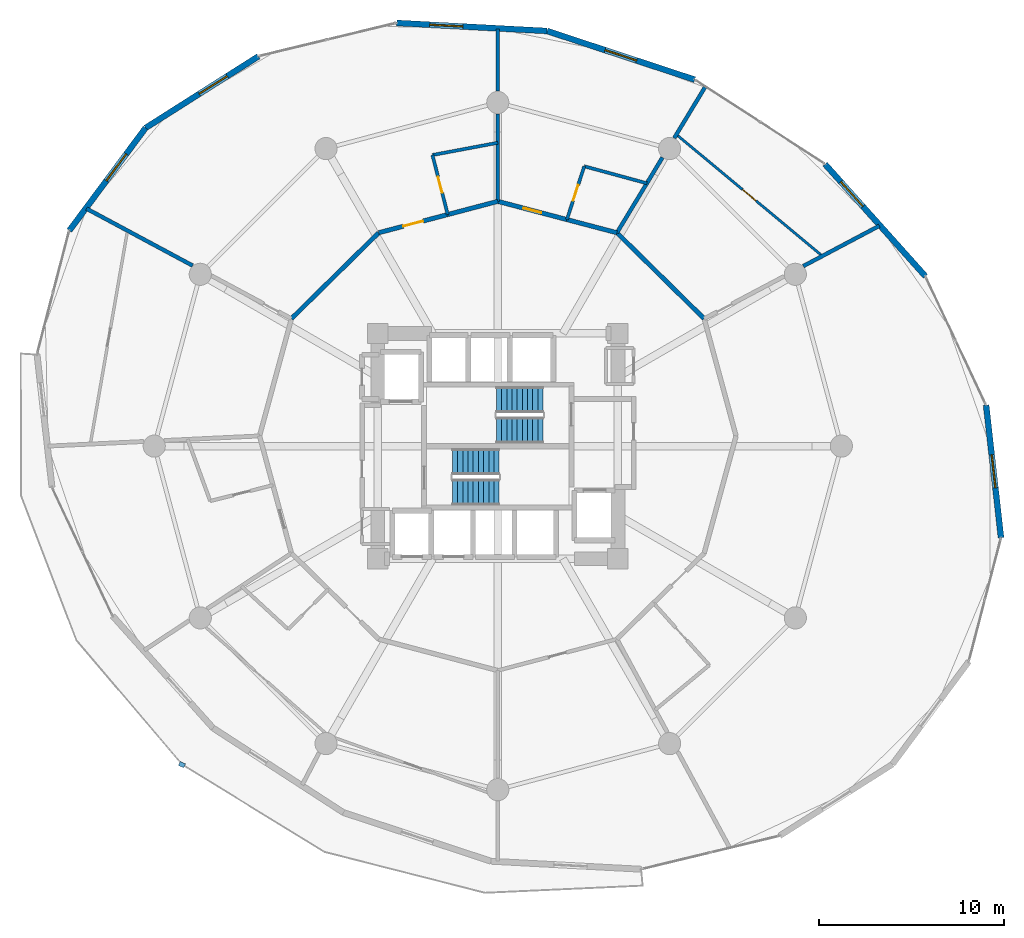
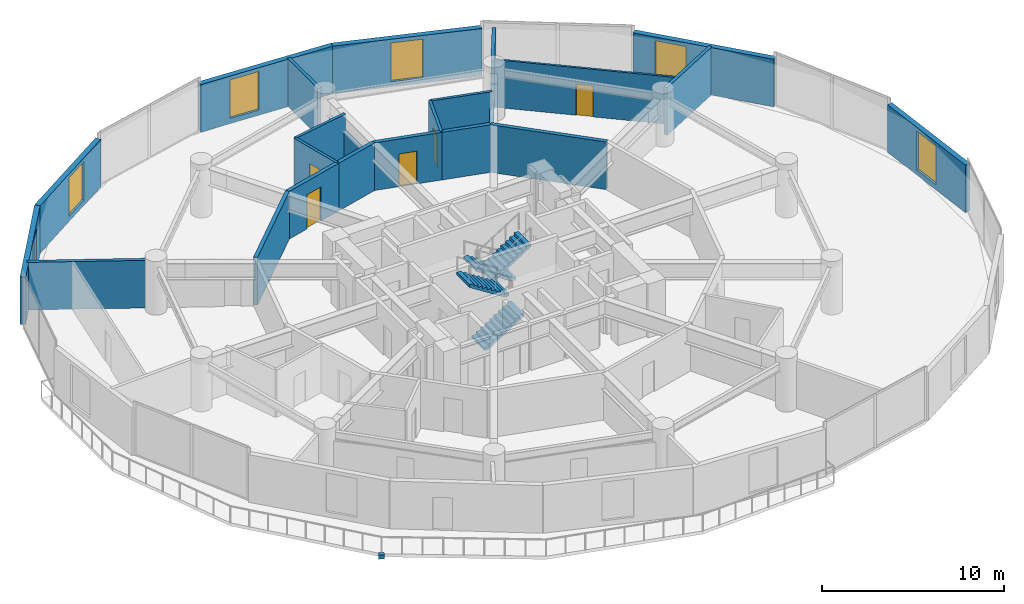
# One storey, part 21 of 24: 23 walls, 6 windows, 5 doors, 4 stair flights, 1 discrete accessory, 11 openings, 2 elements without a shape of their own.
"""IFC4 building model written with IfcOpenShell, lengths in metres."""

import ifcopenshell
import ifcopenshell.guid

model = None  # the IFC model being written
_history = None  # IfcOwnerHistory: only IFC2X3 demands one
_inside = {}  # id of a spatial element -> (the spatial element, [elements in it])
_under = {}  # id of a project, library or spatial element -> (it, [spatial elements below it])
_declared = {}  # id of a project -> (the project, [libraries it declares])
_typed = {}  # id of a type object -> (the type object, [elements of that type])
_made_of = {}  # id of a material, layer set ... -> (it, [elements and type objects made of it])


def new_model(schema):
    """Start an empty IFC model of exactly this schema.

    Asked for "IFC4X3", IfcOpenShell would pick the latest addendum, in which some entities
    have other attributes; the version numbers below select the first issue.
    IFC2X3 requires an IfcOwnerHistory on every rooted entity: one is made here for all.
    """
    global model, _history
    if schema == "IFC4X3":
        model = ifcopenshell.file(schema_version=(4, 3, 0, 0))
    else:
        model = ifcopenshell.file(schema=schema)
    _inside.clear()
    _under.clear()
    _declared.clear()
    _typed.clear()
    _made_of.clear()
    _history = None
    if model.schema == "IFC2X3":
        org = make("IfcOrganization", Name="unknown")
        user = make(
            "IfcPersonAndOrganization",
            ThePerson=make("IfcPerson", FamilyName="unknown"),
            TheOrganization=org,
        )
        app = make(
            "IfcApplication",
            ApplicationDeveloper=org,
            Version="unknown",
            ApplicationFullName="unknown",
            ApplicationIdentifier="unknown",
        )
        _history = make(
            "IfcOwnerHistory",
            OwningUser=user,
            OwningApplication=app,
            ChangeAction="ADDED",
            CreationDate=0,
        )
    return model


def make(cls, **values):
    """One entity of the class cls with the attributes given. An attribute that is None is left unset."""
    return model.create_entity(
        cls, **{name: value for name, value in values.items() if value is not None}
    )


def rooted(cls, **values):
    """An entity with a GlobalId (a new one), such as an element, a storey or a relation."""
    return make(cls, GlobalId=ifcopenshell.guid.new(), OwnerHistory=_history, **values)


def si_unit(unit_type, name, prefix=None):
    """IfcSIUnit, for example si_unit("LENGTHUNIT", "METRE", prefix="MILLI")."""
    return make("IfcSIUnit", UnitType=unit_type, Prefix=prefix, Name=name)


def assignment(units):
    """IfcUnitAssignment: the units of a project."""
    return None if units is None else make("IfcUnitAssignment", Units=units)


def point(xyz):
    """IfcCartesianPoint."""
    return None if xyz is None else make("IfcCartesianPoint", Coordinates=xyz)


def direction(xyz):
    """IfcDirection."""
    return None if xyz is None else make("IfcDirection", DirectionRatios=xyz)


def frame(location, z_axis=None, x_axis=None):
    """IfcAxis2Placement3D, a coordinate frame: its origin and axes. An axis left out is left unset."""
    return make(
        "IfcAxis2Placement3D",
        Location=point(location),
        Axis=direction(z_axis),
        RefDirection=direction(x_axis),
    )


def frame_2d(location, x_axis=None):
    """IfcAxis2Placement2D, a coordinate frame in the plane: its origin and x axis."""
    return make(
        "IfcAxis2Placement2D", Location=point(location), RefDirection=direction(x_axis)
    )


def origin():
    """The frame at (0, 0, 0) with its axes left unset."""
    return frame((0.0, 0.0, 0.0))


def origin_2d():
    """The frame at (0, 0) in the plane with its x axis left unset."""
    return frame_2d((0.0, 0.0))


def place(relative_to, where):
    """IfcLocalPlacement: puts the frame where relative to a parent placement (None: the world)."""
    return make(
        "IfcLocalPlacement", PlacementRelTo=relative_to, RelativePlacement=where
    )


def context(
    kind, dimensions, precision=None, world=None, true_north=None, identifier=None
):
    """IfcGeometricRepresentationContext, for example the 3D "Model" context."""
    return make(
        "IfcGeometricRepresentationContext",
        ContextIdentifier=identifier,
        ContextType=kind,
        CoordinateSpaceDimension=dimensions,
        Precision=precision,
        WorldCoordinateSystem=world,
        TrueNorth=true_north,
    )


def subcontext(parent, identifier, kind, view, scale=None):
    """IfcGeometricRepresentationSubContext, for example "Body" below "Model"."""
    return make(
        "IfcGeometricRepresentationSubContext",
        ContextIdentifier=identifier,
        ContextType=kind,
        ParentContext=parent,
        TargetScale=scale,
        TargetView=view,
    )


def project(units=None, contexts=None):
    """IfcProject with its units and contexts."""
    return rooted(
        "IfcProject",
        Name="project",
        RepresentationContexts=contexts,
        UnitsInContext=assignment(units),
    )


def spatial(cls, under=None, at=None, **own):
    """A site, building, storey or space (cls), placed at a placement, below another one or the project."""
    s = rooted(cls, ObjectPlacement=at, **own)
    if under is not None:
        _under.setdefault(under.id(), (under, []))[1].append(s)
    return s


def polyline(points):
    """IfcPolyline through the points."""
    return make("IfcPolyline", Points=[point(p) for p in points])


def profile(cls, at=None, kind="AREA", **sizes):
    """A parametric profile (cls). Its sizes go by their IFC names, for example OverallWidth=200.0."""
    return make(cls, ProfileType=kind, Position=at, **sizes)


def rectangle(**sizes):
    """IfcRectangleProfileDef."""
    return profile("IfcRectangleProfileDef", **sizes)


def outline(outer, holes=None, kind="AREA"):
    """IfcArbitraryClosedProfileDef: a profile drawn as a closed curve; with holes, ...WithVoids."""
    if holes is None:
        return make("IfcArbitraryClosedProfileDef", ProfileType=kind, OuterCurve=outer)
    return make(
        "IfcArbitraryProfileDefWithVoids",
        ProfileType=kind,
        OuterCurve=outer,
        InnerCurves=holes,
    )


def extrude(swept, where, along, depth):
    """IfcExtrudedAreaSolid: the profile swept, set in the frame where, extruded along a direction by depth."""
    return make(
        "IfcExtrudedAreaSolid",
        SweptArea=swept,
        Position=where,
        ExtrudedDirection=direction(along),
        Depth=depth,
    )


def shape(context_of_items, identifier, shape_type, items):
    """IfcShapeRepresentation: the items that make up one representation, for example the "Body"."""
    return make(
        "IfcShapeRepresentation",
        ContextOfItems=context_of_items,
        RepresentationIdentifier=identifier,
        RepresentationType=shape_type,
        Items=items,
    )


def material(Name=None, Category=None):
    """IfcMaterial."""
    return make("IfcMaterial", Name=Name, Category=Category)


def layer(
    of_material, thickness, ventilated=None, Name=None, Category=None, Priority=None
):
    """IfcMaterialLayer: one layer of a wall or slab, of a material (None: an air gap)."""
    return make(
        "IfcMaterialLayer",
        Material=of_material,
        LayerThickness=thickness,
        IsVentilated=ventilated,
        Name=Name,
        Category=Category,
        Priority=Priority,
    )


def layer_set(layers, Name=None):
    """IfcMaterialLayerSet."""
    return make("IfcMaterialLayerSet", MaterialLayers=layers, LayerSetName=Name)


def made_of(thing, what):
    """Note that an element or type object is made of a material, layer set ...; save() writes the relation."""
    if what is not None:
        _made_of.setdefault(what.id(), (what, []))[1].append(thing)
    return thing


def type_object(cls, material=None, **own):
    """A type object (cls), such as IfcWallType, which elements share."""
    return made_of(rooted(cls, **own), material)


def element(
    cls,
    number,
    at=None,
    inside=None,
    cuts=None,
    type_object=None,
    material=None,
    context=None,
    identifier="Body",
    shape_type=None,
    held_by="IfcProductDefinitionShape",
    body=None,
    shapes=None,
    **own,
):
    """One element of the class cls, such as IfcWall. Its Tag is "e" and its number.

    at: its placement. inside: the storey or other place that contains it. cuts: it is an
    opening in that element (IfcRelVoidsElement). A single representation is given by context,
    identifier, shape_type and body (its items); several are given by shapes. held_by: the class
    of the entity that holds the representations. save() writes the other relations.
    """
    e = rooted(cls, Tag="e%d" % number, ObjectPlacement=at, **own)
    if body is not None:
        shapes = [shape(context, identifier, shape_type, body)]
    if shapes is not None:
        e.Representation = make(held_by, Representations=shapes)
    if inside is not None:
        _inside.setdefault(inside.id(), (inside, []))[1].append(e)
    if cuts is not None:
        rooted(
            "IfcRelVoidsElement", RelatingBuildingElement=cuts, RelatedOpeningElement=e
        )
    if type_object is not None:
        _typed.setdefault(type_object.id(), (type_object, []))[1].append(e)
    return made_of(e, material)


def fill(opening, filler):
    """IfcRelFillsElement: the door or window that sits in an opening."""
    return rooted(
        "IfcRelFillsElement",
        RelatingOpeningElement=opening,
        RelatedBuildingElement=filler,
    )


def aggregate(whole, parts):
    """IfcRelAggregates: a whole, such as a stair, and the parts it consists of."""
    return rooted("IfcRelAggregates", RelatingObject=whole, RelatedObjects=parts)


def save(model, path):
    """Write the relations noted so far, then the file.

    IfcRelAggregates (storeys below a building ...), IfcRelContainedInSpatialStructure (elements
    in a storey), IfcRelDefinesByType, IfcRelAssociatesMaterial and IfcRelDeclares: one each for
    every whole, place, type object, material and project.
    """
    for whole, parts in _under.values():
        aggregate(whole, parts)
    for where, things in _inside.values():
        rooted(
            "IfcRelContainedInSpatialStructure",
            RelatedElements=things,
            RelatingStructure=where,
        )
    for kind, things in _typed.values():
        rooted("IfcRelDefinesByType", RelatedObjects=things, RelatingType=kind)
    for what, things in _made_of.values():
        rooted("IfcRelAssociatesMaterial", RelatedObjects=things, RelatingMaterial=what)
    for by, libraries in _declared.values():
        rooted("IfcRelDeclares", RelatingContext=by, RelatedDefinitions=libraries)
    model.write(path)


model = new_model("IFC4")

# Units and contexts
model_context = context("Model", 3, precision=1e-05, world=origin(), true_north=direction((0.0, 1.0)))
body_context = subcontext(model_context, "Body", "Model", "MODEL_VIEW")
ifc_project = project(units=[si_unit("LENGTHUNIT", "METRE"), si_unit("AREAUNIT", "SQUARE_METRE"), si_unit("VOLUMEUNIT", "CUBIC_METRE"), si_unit("PLANEANGLEUNIT", "RADIAN"), si_unit("MASSUNIT", "GRAM", prefix="KILO")], contexts=[model_context])

# Site, building, storey
site_placement = place(None, origin())
site = spatial("IfcSite", under=ifc_project, at=site_placement, CompositionType="ELEMENT")
building_placement = place(site_placement, origin())
building = spatial("IfcBuilding", under=site, at=building_placement, Name="Solvirekh Grand Hotel", CompositionType="ELEMENT")
storey_placement = place(building_placement, frame((0.0, 0.0, 89.60009765625)))
storey = spatial("IfcBuildingStorey", under=building, at=storey_placement, Name="L22", CompositionType="ELEMENT", Elevation=89.60009765625)

# Wall, opening, window
ifc_material_1 = material(Name="Precast concrete C45/55", Category="concrete")
ifc_layer_1 = layer(ifc_material_1, 0.320068359375)
ifc_layer_set_1 = layer_set([ifc_layer_1], Name="Precast concrete C45/55")
wall_type_1 = type_object("IfcWallType", Name="ExtLobbyWall_RC320", PredefinedType="SOLIDWALL", material=ifc_layer_set_1)
wall_1_placement = place(storey_placement, frame((26.43701171875, 2.22412109375, 0.0), z_axis=(0.0, 0.0, 1.0), x_axis=(0.111716865036, -0.99374007772, 0.0)))
wall_1 = element("IfcWall", 1, at=wall_1_placement, inside=storey, type_object=wall_type_1, Name="L22 exterior structural wall chord 2", PredefinedType="SOLIDWALL", context=body_context, shape_type="SweptSolid", body=[
    extrude(rectangle(XDim=7.2333984375, YDim=0.320068359375, at=frame_2d((3.61669921875, 0.0))), origin(), (0.0, 0.0, 1.0), 3.199951171875),
])
opening_1_placement = place(wall_1_placement, frame((2.717041015625, 0.0, 0.35009765625)))
opening_1 = element("IfcOpeningElement", 2, at=opening_1_placement, cuts=wall_1, Name="Opening W02", PredefinedType="OPENING", context=body_context, shape_type="SweptSolid", body=[
    extrude(rectangle(XDim=1.800048828125, YDim=2.60009765625, at=frame_2d((0.89990234375, 1.300048828125))), frame((0.0, 0.169921875, 0.0), z_axis=(0.0, -1.0, 0.0), x_axis=(1.0, 0.0, 0.0)), (0.0, 0.0, 1.0), 0.340087890625),
])
ifc_material_2 = material(Name="Low-E Tinted Bronze Laminated Glass", Category="aluminium")
window_type = type_object("IfcWindowType", Name="Win_LobbyExt_1800X2600", PartitioningType="SINGLE_PANEL", PredefinedType="WINDOW", material=ifc_material_2)
window_1_placement = place(opening_1_placement, origin())
window_1 = element("IfcWindow", 3, at=window_1_placement, inside=storey, type_object=window_type, Name="L22 panoramic bronze-framed window 2", OverallHeight=2.60009765625, OverallWidth=1.800048828125, PartitioningType="SINGLE_PANEL", PredefinedType="WINDOW", context=body_context, shape_type="SweptSolid", body=[
    extrude(rectangle(XDim=1.800048828125, YDim=2.60009765625, at=frame_2d((0.89990234375, 1.300048828125))), frame((0.0, 0.030029296875, 0.0), z_axis=(0.0, -1.0, 0.0), x_axis=(1.0, 0.0, 0.0)), (0.0, 0.0, 1.0), 0.06005859375),
])
fill(opening_1, window_1)

wall_2_placement = place(storey_placement, frame((17.715087890625, 15.263916015625, 0.0), z_axis=(0.0, 0.0, 1.0), x_axis=(0.667278098427, -0.744808659563, 0.0)))
wall_2 = element("IfcWall", 4, at=wall_2_placement, inside=storey, type_object=wall_type_1, Name="L22 exterior structural wall chord 4", PredefinedType="SOLIDWALL", context=body_context, shape_type="SweptSolid", body=[
    extrude(rectangle(XDim=8.1494140625, YDim=0.320068359375, at=frame_2d((4.07470703125, 0.0))), origin(), (0.0, 0.0, 1.0), 3.199951171875),
])
opening_2_placement = place(wall_2_placement, frame((1.27392578125, 0.0, 0.35009765625)))
opening_2 = element("IfcOpeningElement", 5, at=opening_2_placement, cuts=wall_2, Name="Opening W02", PredefinedType="OPENING", context=body_context, shape_type="SweptSolid", body=[
    extrude(rectangle(XDim=1.800048828125, YDim=2.60009765625, at=frame_2d((0.89990234375, 1.300048828125))), frame((0.0, 0.169921875, 0.0), z_axis=(0.0, -1.0, 0.0), x_axis=(1.0, 0.0, 0.0)), (0.0, 0.0, 1.0), 0.340087890625),
])
window_2_placement = place(opening_2_placement, origin())
window_2 = element("IfcWindow", 6, at=window_2_placement, inside=storey, type_object=window_type, Name="L22 panoramic bronze-framed window 4", OverallHeight=2.60009765625, OverallWidth=1.800048828125, PartitioningType="SINGLE_PANEL", PredefinedType="WINDOW", context=body_context, shape_type="SweptSolid", body=[
    extrude(rectangle(XDim=1.800048828125, YDim=2.60009765625, at=frame_2d((0.89990234375, 1.300048828125))), frame((0.0, 0.030029296875, 0.0), z_axis=(0.0, -1.0, 0.0), x_axis=(1.0, 0.0, 0.0)), (0.0, 0.0, 1.0), 0.06005859375),
])
fill(opening_2, window_2)

wall_3_placement = place(storey_placement, frame((2.666015625, 22.47412109375, 0.0), z_axis=(0.0, 0.0, 1.0), x_axis=(0.949722824856, -0.313091928908, 0.0)))
wall_3 = element("IfcWall", 7, at=wall_3_placement, inside=storey, type_object=wall_type_1, Name="L22 exterior structural wall chord 6", PredefinedType="SOLIDWALL", context=body_context, shape_type="SweptSolid", body=[
    extrude(rectangle(XDim=8.4130859375, YDim=0.320068359375, at=frame_2d((4.20654296875, 0.0))), origin(), (0.0, 0.0, 1.0), 3.199951171875),
])
opening_3_placement = place(wall_3_placement, frame((3.305908203125, 0.0, 0.35009765625)))
opening_3 = element("IfcOpeningElement", 8, at=opening_3_placement, cuts=wall_3, Name="Opening W02", PredefinedType="OPENING", context=body_context, shape_type="SweptSolid", body=[
    extrude(rectangle(XDim=1.800048828125, YDim=2.60009765625, at=frame_2d((0.89990234375, 1.300048828125))), frame((0.0, 0.169921875, 0.0), z_axis=(0.0, -1.0, 0.0), x_axis=(1.0, 0.0, 0.0)), (0.0, 0.0, 1.0), 0.340087890625),
])
window_3_placement = place(opening_3_placement, origin())
window_3 = element("IfcWindow", 9, at=window_3_placement, inside=storey, type_object=window_type, Name="L22 panoramic bronze-framed window 6", OverallHeight=2.60009765625, OverallWidth=1.800048828125, PartitioningType="SINGLE_PANEL", PredefinedType="WINDOW", context=body_context, shape_type="SweptSolid", body=[
    extrude(rectangle(XDim=1.800048828125, YDim=2.60009765625, at=frame_2d((0.89990234375, 1.300048828125))), frame((0.0, 0.030029296875, 0.0), z_axis=(0.0, -1.0, 0.0), x_axis=(1.0, 0.0, 0.0)), (0.0, 0.0, 1.0), 0.06005859375),
])
fill(opening_3, window_3)

wall_4_placement = place(storey_placement, frame((-5.471923828125, 22.907958984375, 0.0), z_axis=(0.0, 0.0, 1.0), x_axis=(0.998582015263, -0.053234939583, 0.0)))
wall_4 = element("IfcWall", 10, at=wall_4_placement, inside=storey, type_object=wall_type_1, Name="L22 exterior structural wall chord 7", PredefinedType="SOLIDWALL", context=body_context, shape_type="SweptSolid", body=[
    extrude(rectangle(XDim=8.1494140625, YDim=0.320068359375, at=frame_2d((4.07470703125, 0.0))), origin(), (0.0, 0.0, 1.0), 3.199951171875),
])
opening_4_placement = place(wall_4_placement, frame((1.791015625, 0.0, 0.35009765625)))
opening_4 = element("IfcOpeningElement", 11, at=opening_4_placement, cuts=wall_4, Name="Opening W02", PredefinedType="OPENING", context=body_context, shape_type="SweptSolid", body=[
    extrude(rectangle(XDim=1.800048828125, YDim=2.60009765625, at=frame_2d((0.89990234375, 1.300048828125))), frame((0.0, 0.169921875, 0.0), z_axis=(0.0, -1.0, 0.0), x_axis=(1.0, 0.0, 0.0)), (0.0, 0.0, 1.0), 0.340087890625),
])
window_4_placement = place(opening_4_placement, origin())
window_4 = element("IfcWindow", 12, at=window_4_placement, inside=storey, type_object=window_type, Name="L22 panoramic bronze-framed window 7", OverallHeight=2.60009765625, OverallWidth=1.800048828125, PartitioningType="SINGLE_PANEL", PredefinedType="WINDOW", context=body_context, shape_type="SweptSolid", body=[
    extrude(rectangle(XDim=1.800048828125, YDim=2.60009765625, at=frame_2d((0.89990234375, 1.300048828125))), frame((0.0, 0.030029296875, 0.0), z_axis=(0.0, -1.0, 0.0), x_axis=(1.0, 0.0, 0.0)), (0.0, 0.0, 1.0), 0.06005859375),
])
fill(opening_4, window_4)

wall_5_placement = place(storey_placement, frame((-19.070068359375, 17.22607421875, 0.0), z_axis=(0.0, 0.0, 1.0), x_axis=(0.844473577477, 0.535597215213, 0.0)))
wall_5 = element("IfcWall", 13, at=wall_5_placement, inside=storey, type_object=wall_type_1, Name="L22 exterior structural wall chord 9", PredefinedType="SOLIDWALL", context=body_context, shape_type="SweptSolid", body=[
    extrude(rectangle(XDim=7.233154296875, YDim=0.320068359375, at=frame_2d((3.61669921875, 0.0))), origin(), (0.0, 0.0, 1.0), 3.199951171875),
])
opening_5_placement = place(wall_5_placement, frame((3.43896484375, 0.0, 0.35009765625)))
opening_5 = element("IfcOpeningElement", 14, at=opening_5_placement, cuts=wall_5, Name="Opening W02", PredefinedType="OPENING", context=body_context, shape_type="SweptSolid", body=[
    extrude(rectangle(XDim=1.800048828125, YDim=2.60009765625, at=frame_2d((0.89990234375, 1.300048828125))), frame((0.0, 0.169921875, 0.0), z_axis=(0.0, -1.0, 0.0), x_axis=(1.0, 0.0, 0.0)), (0.0, 0.0, 1.0), 0.340087890625),
])
window_5_placement = place(opening_5_placement, origin())
window_5 = element("IfcWindow", 15, at=window_5_placement, inside=storey, type_object=window_type, Name="L22 panoramic bronze-framed window 9", OverallHeight=2.60009765625, OverallWidth=1.800048828125, PartitioningType="SINGLE_PANEL", PredefinedType="WINDOW", context=body_context, shape_type="SweptSolid", body=[
    extrude(rectangle(XDim=1.800048828125, YDim=2.60009765625, at=frame_2d((0.89990234375, 1.300048828125))), frame((0.0, 0.030029296875, 0.0), z_axis=(0.0, -1.0, 0.0), x_axis=(1.0, 0.0, 0.0)), (0.0, 0.0, 1.0), 0.06005859375),
])
fill(opening_5, window_5)

wall_6_placement = place(storey_placement, frame((-23.198974609375, 11.666015625, 0.0), z_axis=(0.0, 0.0, 1.0), x_axis=(0.596191587438, 0.80284219562, 0.0)))
wall_6 = element("IfcWall", 16, at=wall_6_placement, inside=storey, type_object=wall_type_1, Name="L22 exterior structural wall chord 10", PredefinedType="SOLIDWALL", context=body_context, shape_type="SweptSolid", body=[
    extrude(rectangle(XDim=6.925537109375, YDim=0.320068359375, at=frame_2d((3.462890625, 0.0))), origin(), (0.0, 0.0, 1.0), 3.199951171875),
])
opening_6_placement = place(wall_6_placement, frame((3.367919921875, 0.0, 0.35009765625)))
opening_6 = element("IfcOpeningElement", 17, at=opening_6_placement, cuts=wall_6, Name="Opening W02", PredefinedType="OPENING", context=body_context, shape_type="SweptSolid", body=[
    extrude(rectangle(XDim=1.800048828125, YDim=2.60009765625, at=frame_2d((0.89990234375, 1.300048828125))), frame((0.0, 0.169921875, 0.0), z_axis=(0.0, -1.0, 0.0), x_axis=(1.0, 0.0, 0.0)), (0.0, 0.0, 1.0), 0.340087890625),
])
window_6_placement = place(opening_6_placement, origin())
window_6 = element("IfcWindow", 18, at=window_6_placement, inside=storey, type_object=window_type, Name="L22 panoramic bronze-framed window 10", OverallHeight=2.60009765625, OverallWidth=1.800048828125, PartitioningType="SINGLE_PANEL", PredefinedType="WINDOW", context=body_context, shape_type="SweptSolid", body=[
    extrude(rectangle(XDim=1.800048828125, YDim=2.60009765625, at=frame_2d((0.89990234375, 1.300048828125))), frame((0.0, 0.030029296875, 0.0), z_axis=(0.0, -1.0, 0.0), x_axis=(1.0, 0.0, 0.0)), (0.0, 0.0, 1.0), 0.06005859375),
])
fill(opening_6, window_6)

# Walls
ifc_material_3 = material(Name="Acoustic Gypsum Partition Assembly")
ifc_layer_2 = layer(ifc_material_3, 0.239990234375)
ifc_layer_set_2 = layer_set([ifc_layer_2], Name="Acoustic Gypsum Partition Assembly")
wall_type_2 = type_object("IfcWallType", Name="Part_Corridor_240", PredefinedType="PARTITIONING", material=ifc_layer_set_2)
wall_7_placement = place(storey_placement, frame((11.172119140625, 6.89990234375, 0.0), z_axis=(0.0, 0.0, 1.0), x_axis=(-0.712593171801, 0.701577487882, 0.0)))
element("IfcWall", 19, at=wall_7_placement, inside=storey, type_object=wall_type_2, Name="L22 Presidential Suite 2401 Suite Foyer corridor enclosure wall", PredefinedType="PARTITIONING", context=body_context, shape_type="SweptSolid", body=[
    extrude(rectangle(XDim=6.626708984375, YDim=0.239990234375, at=frame_2d((3.3134765625, 0.0))), origin(), (0.0, 0.0, 1.0), 3.199951171875),
])
wall_8_placement = place(storey_placement, frame((6.449951171875, 11.549072265625, 0.0), z_axis=(0.0, 0.0, 1.0), x_axis=(-0.966988689433, 0.254819297756, 0.0)))
element("IfcWall", 20, at=wall_8_placement, inside=storey, type_object=wall_type_2, Name="L22 En-suite Bathroom 2402 corridor backing wall", PredefinedType="PARTITIONING", context=body_context, shape_type="SweptSolid", body=[
    extrude(rectangle(XDim=2.801513671875, YDim=0.239990234375, at=frame_2d((1.40087890625, 0.0))), origin(), (0.0, 0.0, 1.0), 3.199951171875),
])

# Wall, opening, door
wall_9_placement = place(storey_placement, frame((3.740966796875, 12.262939453125, 0.0), z_axis=(0.0, 0.0, 1.0), x_axis=(-0.966909222747, 0.255120667465, 0.0)))
wall_9 = element("IfcWall", 21, at=wall_9_placement, inside=storey, type_object=wall_type_2, Name="L22 Deluxe Guestroom 2402 entrance wall", PredefinedType="PARTITIONING", context=body_context, shape_type="SweptSolid", body=[
    extrude(rectangle(XDim=3.868896484375, YDim=0.239990234375, at=frame_2d((1.9345703125, 0.0))), origin(), (0.0, 0.0, 1.0), 3.199951171875),
])
opening_7_placement = place(wall_9_placement, frame((1.43505859375, 0.0, 0.0)))
opening_7 = element("IfcOpeningElement", 22, at=opening_7_placement, cuts=wall_9, Name="Opening D07", PredefinedType="OPENING", context=body_context, shape_type="SweptSolid", body=[
    extrude(rectangle(XDim=1.0, YDim=2.199951171875, at=frame_2d((0.5, 1.10009765625))), frame((0.0, 0.1298828125, 0.0), z_axis=(0.0, -1.0, 0.0), x_axis=(1.0, 0.0, 0.0)), (0.0, 0.0, 1.0), 0.260009765625),
])
ifc_material_4 = material(Name="Fire-Rated Steel Door Assembly", Category="steel")
door_type_1 = type_object("IfcDoorType", Name="Door_GuestEntry_1000X2200", OperationType="NOTDEFINED", PredefinedType="DOOR", material=ifc_material_4)
door_1_placement = place(opening_7_placement, origin())
door_1 = element("IfcDoor", 23, at=door_1_placement, inside=storey, type_object=door_type_1, Name="L22 Deluxe Guestroom 2402 entrance door", OperationType="SINGLE_SWING_RIGHT", OverallHeight=2.199951171875, OverallWidth=1.0, PredefinedType="DOOR", context=body_context, shape_type="SweptSolid", body=[
    extrude(rectangle(XDim=1.0, YDim=2.199951171875, at=frame_2d((0.5, 1.10009765625))), frame((0.0, 0.02490234375, 0.0), z_axis=(0.0, -1.0, 0.0), x_axis=(1.0, 0.0, 0.0)), (0.0, 0.0, 1.0), 0.050048828125),
])
fill(opening_7, door_1)

# Walls
wall_10_placement = place(storey_placement, frame((0.0, 13.25, 0.0), z_axis=(0.0, 0.0, 1.0), x_axis=(-0.966967212689, -0.254900783806, 0.0)))
element("IfcWall", 24, at=wall_10_placement, inside=storey, type_object=wall_type_2, Name="L22 En-suite Bathroom 2403 corridor backing wall", PredefinedType="PARTITIONING", context=body_context, shape_type="SweptSolid", body=[
    extrude(rectangle(XDim=2.801513671875, YDim=0.239990234375, at=frame_2d((1.40087890625, 0.0))), origin(), (0.0, 0.0, 1.0), 3.199951171875),
])
wall_11_placement = place(storey_placement, frame((-6.449951171875, 11.549072265625, 0.0), z_axis=(0.0, 0.0, 1.0), x_axis=(-0.712593171801, -0.701577487882, 0.0)))
element("IfcWall", 25, at=wall_11_placement, inside=storey, type_object=wall_type_2, Name="L22 Diplomatic Suite 2403 Living Room corridor wall 1", PredefinedType="PARTITIONING", context=body_context, shape_type="SweptSolid", body=[
    extrude(rectangle(XDim=6.626708984375, YDim=0.239990234375, at=frame_2d((3.3134765625, 0.0))), origin(), (0.0, 0.0, 1.0), 3.199951171875),
])

# Wall, opening, door
wall_12_placement = place(storey_placement, frame((-2.708984375, 12.535888671875, 0.0), z_axis=(0.0, 0.0, 1.0), x_axis=(-0.966924787062, -0.255061671298, 0.0)))
wall_12 = element("IfcWall", 26, at=wall_12_placement, inside=storey, type_object=wall_type_2, Name="L22 Diplomatic Suite 2403 Living Room entrance wall", PredefinedType="PARTITIONING", context=body_context, shape_type="SweptSolid", body=[
    extrude(rectangle(XDim=3.868896484375, YDim=0.239990234375, at=frame_2d((1.9345703125, 0.0))), origin(), (0.0, 0.0, 1.0), 3.199951171875),
])
opening_8_placement = place(wall_12_placement, frame((1.385009765625, 0.0, 0.0)))
opening_8 = element("IfcOpeningElement", 27, at=opening_8_placement, cuts=wall_12, Name="Opening D08", PredefinedType="OPENING", context=body_context, shape_type="SweptSolid", body=[
    extrude(rectangle(XDim=1.10009765625, YDim=2.300048828125, at=frame_2d((0.550048828125, 1.14990234375))), frame((0.0, 0.1298828125, 0.0), z_axis=(0.0, -1.0, 0.0), x_axis=(1.0, 0.0, 0.0)), (0.0, 0.0, 1.0), 0.260009765625),
])
door_type_2 = type_object("IfcDoorType", Name="Door_SuiteEntry_1100X2300", OperationType="NOTDEFINED", PredefinedType="DOOR", material=ifc_material_4)
door_2_placement = place(opening_8_placement, origin())
door_2 = element("IfcDoor", 28, at=door_2_placement, inside=storey, type_object=door_type_2, Name="L22 Diplomatic Suite 2403 Living Room entrance door", OperationType="SINGLE_SWING_RIGHT", OverallHeight=2.300048828125, OverallWidth=1.10009765625, PredefinedType="DOOR", context=body_context, shape_type="SweptSolid", body=[
    extrude(rectangle(XDim=1.10009765625, YDim=2.300048828125, at=frame_2d((0.550048828125, 1.14990234375))), frame((0.0, 0.02490234375, 0.0), z_axis=(0.0, -1.0, 0.0), x_axis=(1.0, 0.0, 0.0)), (0.0, 0.0, 1.0), 0.050048828125),
])
fill(opening_8, door_2)

ifc_layer_3 = layer(ifc_material_3, 0.135009765625)
ifc_layer_set_3 = layer_set([ifc_layer_3], Name="Acoustic Gypsum Partition Assembly")
wall_type_3 = type_object("IfcWallType", Name="Part_RoomInt_135", PredefinedType="PARTITIONING", material=ifc_layer_set_3)
wall_13_placement = place(storey_placement, frame((17.572021484375, 10.2919921875, 0.0), z_axis=(0.0, 0.0, 1.0), x_axis=(-0.768736797736, 0.639565270951, 0.0)))
wall_13 = element("IfcWall", 29, at=wall_13_placement, inside=storey, type_object=wall_type_3, Name="L22 Presidential Suite 2401 Suite Foyer bedroom screen wall", PredefinedType="PARTITIONING", context=body_context, shape_type="SweptSolid", body=[
    extrude(rectangle(XDim=10.281982421875, YDim=0.135009765625, at=frame_2d((5.14111328125, 0.0))), origin(), (0.0, 0.0, 1.0), 3.199951171875),
])
opening_9_placement = place(wall_13_placement, frame((4.666015625, 0.0, 0.0)))
opening_9 = element("IfcOpeningElement", 30, at=opening_9_placement, cuts=wall_13, Name="Opening D10", PredefinedType="OPENING", context=body_context, shape_type="SweptSolid", body=[
    extrude(rectangle(XDim=0.949951171875, YDim=2.10009765625, at=frame_2d((0.47509765625, 1.050048828125))), frame((0.0, 0.07763671875, 0.0), z_axis=(0.0, -1.0, 0.0), x_axis=(1.0, 0.0, 0.0)), (0.0, 0.0, 1.0), 0.155029296875),
])
ifc_material_5 = material(Name="Anodized Bronze Aluminium 6063-T6", Category="aluminium")
door_type_3 = type_object("IfcDoorType", Name="Door_RoomInt_950X2100", OperationType="NOTDEFINED", PredefinedType="DOOR", material=ifc_material_5)
door_3_placement = place(opening_9_placement, origin())
door_3 = element("IfcDoor", 31, at=door_3_placement, inside=storey, type_object=door_type_3, Name="L22 Presidential Suite 2401 Suite Foyer master bedroom door", OperationType="SINGLE_SWING_RIGHT", OverallHeight=2.10009765625, OverallWidth=0.949951171875, PredefinedType="DOOR", context=body_context, shape_type="SweptSolid", body=[
    extrude(rectangle(XDim=0.949951171875, YDim=2.10009765625, at=frame_2d((0.47509765625, 1.050048828125))), frame((0.0, 0.02490234375, 0.0), z_axis=(0.0, -1.0, 0.0), x_axis=(1.0, 0.0, 0.0)), (0.0, 0.0, 1.0), 0.050048828125),
])
fill(opening_9, door_3)

# Walls
ifc_layer_4 = layer(ifc_material_3, 0.2099609375)
ifc_layer_set_4 = layer_set([ifc_layer_4], Name="Acoustic Gypsum Partition Assembly")
wall_type_4 = type_object("IfcWallType", Name="Part_SuiteDemise_210", PredefinedType="PARTITIONING", material=ifc_layer_set_4)
wall_14_placement = place(storey_placement, frame((16.5400390625, 9.7451171875, 0.0), z_axis=(0.0, 0.0, 1.0), x_axis=(0.883616940901, 0.468210531441, 0.0)))
element("IfcWall", 32, at=wall_14_placement, inside=storey, type_object=wall_type_4, Name="L22 suite radial wall 2 (B)", PredefinedType="PARTITIONING", context=body_context, shape_type="SweptSolid", body=[
    extrude(rectangle(XDim=4.65576171875, YDim=0.2099609375, at=frame_2d((2.327880859375, 0.0))), origin(), (0.0, 0.0, 1.0), 3.199951171875),
])
wall_15_placement = place(storey_placement, frame((6.449951171875, 11.549072265625, 0.0), z_axis=(0.0, 0.0, 1.0), x_axis=(0.517538966695, 0.855659639081, 0.0)))
element("IfcWall", 33, at=wall_15_placement, inside=storey, type_object=wall_type_4, Name="L22 suite radial wall 3 (A)", PredefinedType="PARTITIONING", context=body_context, shape_type="SweptSolid", body=[
    extrude(rectangle(XDim=4.76123046875, YDim=0.2099609375, at=frame_2d((2.380615234375, 0.0))), origin(), (0.0, 0.0, 1.0), 2.06689453125),
])
wall_16_placement = place(storey_placement, frame((9.551025390625, 16.675048828125, 0.0), z_axis=(0.0, 0.0, 1.0), x_axis=(0.517615669933, 0.855613241038, 0.0)))
element("IfcWall", 34, at=wall_16_placement, inside=storey, type_object=wall_type_4, Name="L22 suite radial wall 3 (B)", PredefinedType="PARTITIONING", context=body_context, shape_type="SweptSolid", body=[
    extrude(rectangle(XDim=3.21875, YDim=0.2099609375, at=frame_2d((1.609375, 0.0))), origin(), (0.0, 0.0, 1.0), 3.199951171875),
])
wall_17_placement = place(storey_placement, frame((0.0, 13.25, 0.0), z_axis=(0.0, 0.0, 1.0), x_axis=(0.0, 1.0, 0.0)))
element("IfcWall", 35, at=wall_17_placement, inside=storey, type_object=wall_type_4, Name="L22 suite radial wall 4 (A)", PredefinedType="PARTITIONING", context=body_context, shape_type="SweptSolid", body=[
    extrude(rectangle(XDim=4.72998046875, YDim=0.2099609375, at=frame_2d((2.364990234375, 0.0))), origin(), (0.0, 0.0, 1.0), 2.06689453125),
])
wall_18_placement = place(storey_placement, frame((0.0, 19.219970703125, 0.0), z_axis=(0.0, 0.0, 1.0), x_axis=(0.0, 1.0, 0.0)))
element("IfcWall", 36, at=wall_18_placement, inside=storey, type_object=wall_type_4, Name="L22 suite radial wall 4 (B)", PredefinedType="PARTITIONING", context=body_context, shape_type="SweptSolid", body=[
    extrude(rectangle(XDim=3.35595703125, YDim=0.2099609375, at=frame_2d((1.677978515625, 0.0))), origin(), (0.0, 0.0, 1.0), 3.199951171875),
])
wall_19_placement = place(storey_placement, frame((-16.514892578125, 9.76806640625, 0.0), z_axis=(0.0, 0.0, 1.0), x_axis=(-0.881103250106, 0.472923950178, 0.0)))
element("IfcWall", 37, at=wall_19_placement, inside=storey, type_object=wall_type_4, Name="L22 suite radial wall 6 (B)", PredefinedType="PARTITIONING", context=body_context, shape_type="SweptSolid", body=[
    extrude(rectangle(XDim=6.52734375, YDim=0.2099609375, at=frame_2d((3.263671875, 0.0))), origin(), (0.0, 0.0, 1.0), 3.199951171875),
])
ifc_layer_5 = layer(ifc_material_3, 0.175048828125)
ifc_layer_set_5 = layer_set([ifc_layer_5], Name="Acoustic Gypsum Partition Assembly")
wall_type_5 = type_object("IfcWallType", Name="Plumb_Ensuite_175", PredefinedType="PLUMBINGWALL", material=ifc_layer_set_5)
wall_20_placement = place(storey_placement, frame((8.071044921875, 14.22802734375, 0.0), z_axis=(0.0, 0.0, 1.0), x_axis=(-0.965029552765, 0.262141111409, 0.0)))
element("IfcWall", 38, at=wall_20_placement, inside=storey, type_object=wall_type_5, Name="L22 En-suite Bathroom 2402 outer plumbing wall", PredefinedType="PLUMBINGWALL", context=body_context, shape_type="SweptSolid", body=[
    extrude(rectangle(XDim=3.512939453125, YDim=0.175048828125, at=frame_2d((1.75634765625, 0.0))), origin(), (0.0, 0.0, 1.0), 3.199951171875),
])

# Wall, opening, door
wall_21_placement = place(storey_placement, frame((3.740966796875, 12.262939453125, 0.0), z_axis=(0.0, 0.0, 1.0), x_axis=(0.309680760467, 0.950840589477, 0.0)))
wall_21 = element("IfcWall", 39, at=wall_21_placement, inside=storey, type_object=wall_type_5, Name="L22 En-suite Bathroom 2402 entry plumbing wall", PredefinedType="PLUMBINGWALL", context=body_context, shape_type="SweptSolid", body=[
    extrude(rectangle(XDim=3.03515625, YDim=0.175048828125, at=frame_2d((1.517578125, 0.0))), origin(), (0.0, 0.0, 1.0), 3.199951171875),
])
opening_10_placement = place(wall_21_placement, frame((1.068115234375, 0.0, 0.0)))
opening_10 = element("IfcOpeningElement", 40, at=opening_10_placement, cuts=wall_21, Name="Opening D09", PredefinedType="OPENING", context=body_context, shape_type="SweptSolid", body=[
    extrude(rectangle(XDim=0.89990234375, YDim=2.10009765625, at=frame_2d((0.449951171875, 1.050048828125))), frame((0.0, 0.09765625, 0.0), z_axis=(0.0, -1.0, 0.0), x_axis=(1.0, 0.0, 0.0)), (0.0, 0.0, 1.0), 0.195068359375),
])
door_type_4 = type_object("IfcDoorType", Name="Door_Ensuite_900X2100", OperationType="NOTDEFINED", PredefinedType="DOOR", material=ifc_material_5)
door_4_placement = place(opening_10_placement, origin())
door_4 = element("IfcDoor", 41, at=door_4_placement, inside=storey, type_object=door_type_4, Name="L22 En-suite Bathroom 2402 door", OperationType="SINGLE_SWING_LEFT", OverallHeight=2.10009765625, OverallWidth=0.89990234375, PredefinedType="DOOR", context=body_context, shape_type="SweptSolid", body=[
    extrude(rectangle(XDim=0.89990234375, YDim=2.10009765625, at=frame_2d((0.449951171875, 1.050048828125))), frame((0.0, 0.02490234375, 0.0), z_axis=(0.0, -1.0, 0.0), x_axis=(1.0, 0.0, 0.0)), (0.0, 0.0, 1.0), 0.050048828125),
])
fill(opening_10, door_4)

# Wall
wall_22_placement = place(storey_placement, frame((0.0, 16.4208984375, 0.0), z_axis=(0.0, 0.0, 1.0), x_axis=(-0.982899817201, -0.184141112593, 0.0)))
element("IfcWall", 42, at=wall_22_placement, inside=storey, type_object=wall_type_5, Name="L22 En-suite Bathroom 2403 outer plumbing wall", PredefinedType="PLUMBINGWALL", context=body_context, shape_type="SweptSolid", body=[
    extrude(rectangle(XDim=3.599609375, YDim=0.175048828125, at=frame_2d((1.7998046875, 0.0))), origin(), (0.0, 0.0, 1.0), 3.199951171875),
])

# Wall, opening, door
wall_23_placement = place(storey_placement, frame((-2.708984375, 12.535888671875, 0.0), z_axis=(0.0, 0.0, 1.0), x_axis=(-0.249194424237, 0.968453477938, 0.0)))
wall_23 = element("IfcWall", 43, at=wall_23_placement, inside=storey, type_object=wall_type_5, Name="L22 En-suite Bathroom 2403 entry plumbing wall", PredefinedType="PLUMBINGWALL", context=body_context, shape_type="SweptSolid", body=[
    extrude(rectangle(XDim=3.3271484375, YDim=0.175048828125, at=frame_2d((1.66357421875, 0.0))), origin(), (0.0, 0.0, 1.0), 3.199951171875),
])
opening_11_placement = place(wall_23_placement, frame((1.212890625, 0.0, 0.0)))
opening_11 = element("IfcOpeningElement", 44, at=opening_11_placement, cuts=wall_23, Name="Opening D09", PredefinedType="OPENING", context=body_context, shape_type="SweptSolid", body=[
    extrude(rectangle(XDim=0.89990234375, YDim=2.10009765625, at=frame_2d((0.449951171875, 1.050048828125))), frame((0.0, 0.09765625, 0.0), z_axis=(0.0, -1.0, 0.0), x_axis=(1.0, 0.0, 0.0)), (0.0, 0.0, 1.0), 0.195068359375),
])
door_5_placement = place(opening_11_placement, origin())
door_5 = element("IfcDoor", 45, at=door_5_placement, inside=storey, type_object=door_type_4, Name="L22 En-suite Bathroom 2403 door", OperationType="SINGLE_SWING_LEFT", OverallHeight=2.10009765625, OverallWidth=0.89990234375, PredefinedType="DOOR", context=body_context, shape_type="SweptSolid", body=[
    extrude(rectangle(XDim=0.89990234375, YDim=2.10009765625, at=frame_2d((0.449951171875, 1.050048828125))), frame((0.0, 0.02490234375, 0.0), z_axis=(0.0, -1.0, 0.0), x_axis=(1.0, 0.0, 0.0)), (0.0, 0.0, 1.0), 0.050048828125),
])
fill(opening_11, door_5)

# Stair, stair flights
ifc_material_6 = material(Name="Concrete C40/50", Category="concrete")
stair_type = type_object("IfcStairType", Name="Stair_Core_1450", PredefinedType="HALF_TURN_STAIR", material=ifc_material_6)
stair_1_placement = place(storey_placement, origin())
stair_1 = element("IfcStair", 46, at=stair_1_placement, inside=storey, type_object=stair_type, Name="L22 Enclosed exit stair ST-1", PredefinedType="HALF_TURN_STAIR")
stair_flight_type = type_object("IfcStairFlightType", Name="Flight_Core_1450", PredefinedType="STRAIGHT", material=ifc_material_6)
stair_flight_1_placement = place(storey_placement, frame((-2.449951171875, -2.5, 0.0), z_axis=(0.0, 0.0, 1.0), x_axis=(1.0, 0.0, 0.0)))
stair_flight_1 = element("IfcStairFlight", 47, at=stair_flight_1_placement, type_object=stair_flight_type, Name="ST-1 flight 1", NumberOfRisers=10, NumberOfTreads=9, PredefinedType="STRAIGHT", RiserHeight=0.18, TreadLength=0.28, context=body_context, shape_type="SweptSolid", body=[
    extrude(outline(polyline([(0.0, 0.0), (0.0, 0.179931640625), (0.280029296875, 0.179931640625), (0.280029296875, 0.360107421875), (0.56005859375, 0.360107421875), (0.56005859375, 0.5400390625), (0.840087890625, 0.5400390625), (0.840087890625, 0.719970703125), (1.1201171875, 0.719970703125), (1.1201171875, 0.89990234375), (1.39990234375, 0.89990234375), (1.39990234375, 1.080078125), (1.679931640625, 1.080078125), (1.679931640625, 1.260009765625), (1.9599609375, 1.260009765625), (1.9599609375, 1.43994140625), (2.239990234375, 1.43994140625), (2.239990234375, 1.6201171875), (2.52001953125, 1.6201171875), (2.52001953125, 1.800048828125), (2.52001953125, 1.44189453125), (0.277099609375, 0.0), (0.0, 0.0)])), frame((0.0, 0.699951171875, 0.0), z_axis=(0.0, -1.0, 0.0), x_axis=(1.0, 0.0, 0.0)), (0.0, 0.0, 1.0), 1.39990234375),
])
stair_flight_2_placement = place(storey_placement, frame((0.070068359375, -0.85009765625, 1.7998046875), z_axis=(0.0, 0.0, 1.0), x_axis=(-1.0, 0.0, 0.0)))
stair_flight_2 = element("IfcStairFlight", 48, at=stair_flight_2_placement, type_object=stair_flight_type, Name="ST-1 flight 2", NumberOfRisers=10, NumberOfTreads=9, PredefinedType="STRAIGHT", RiserHeight=0.18, TreadLength=0.28, context=body_context, shape_type="SweptSolid", body=[
    extrude(outline(polyline([(0.0, 0.0), (0.0, 0.179931640625), (0.280029296875, 0.179931640625), (0.280029296875, 0.360107421875), (0.56005859375, 0.360107421875), (0.56005859375, 0.5400390625), (0.840087890625, 0.5400390625), (0.840087890625, 0.719970703125), (1.1201171875, 0.719970703125), (1.1201171875, 0.89990234375), (1.39990234375, 0.89990234375), (1.39990234375, 1.080078125), (1.679931640625, 1.080078125), (1.679931640625, 1.260009765625), (1.9599609375, 1.260009765625), (1.9599609375, 1.43994140625), (2.239990234375, 1.43994140625), (2.239990234375, 1.6201171875), (2.52001953125, 1.6201171875), (2.52001953125, 1.800048828125), (2.52001953125, 1.44189453125), (0.277099609375, 0.0), (0.0, 0.0)])), frame((0.0, 0.699951171875, 0.0), z_axis=(0.0, -1.0, 0.0), x_axis=(1.0, 0.0, 0.0)), (0.0, 0.0, 1.0), 1.39990234375),
])
aggregate(stair_1, [stair_flight_1, stair_flight_2])

stair_2_placement = place(storey_placement, origin())
stair_2 = element("IfcStair", 49, at=stair_2_placement, inside=storey, type_object=stair_type, Name="L22 Enclosed exit stair ST-2", PredefinedType="HALF_TURN_STAIR")
stair_flight_3_placement = place(storey_placement, frame((2.449951171875, 2.5, 0.0), z_axis=(0.0, 0.0, 1.0), x_axis=(-1.0, 0.0, 0.0)))
stair_flight_3 = element("IfcStairFlight", 50, at=stair_flight_3_placement, type_object=stair_flight_type, Name="ST-2 flight 1", NumberOfRisers=10, NumberOfTreads=9, PredefinedType="STRAIGHT", RiserHeight=0.18, TreadLength=0.28, context=body_context, shape_type="SweptSolid", body=[
    extrude(outline(polyline([(0.0, 0.0), (0.0, 0.179931640625), (0.280029296875, 0.179931640625), (0.280029296875, 0.360107421875), (0.56005859375, 0.360107421875), (0.56005859375, 0.5400390625), (0.840087890625, 0.5400390625), (0.840087890625, 0.719970703125), (1.1201171875, 0.719970703125), (1.1201171875, 0.89990234375), (1.39990234375, 0.89990234375), (1.39990234375, 1.080078125), (1.679931640625, 1.080078125), (1.679931640625, 1.260009765625), (1.9599609375, 1.260009765625), (1.9599609375, 1.43994140625), (2.239990234375, 1.43994140625), (2.239990234375, 1.6201171875), (2.52001953125, 1.6201171875), (2.52001953125, 1.800048828125), (2.52001953125, 1.44189453125), (0.277099609375, 0.0), (0.0, 0.0)])), frame((0.0, 0.699951171875, 0.0), z_axis=(0.0, -1.0, 0.0), x_axis=(1.0, 0.0, 0.0)), (0.0, 0.0, 1.0), 1.39990234375),
])
stair_flight_4_placement = place(storey_placement, frame((-0.070068359375, 0.85009765625, 1.7998046875), z_axis=(0.0, 0.0, 1.0), x_axis=(1.0, 0.0, 0.0)))
stair_flight_4 = element("IfcStairFlight", 51, at=stair_flight_4_placement, type_object=stair_flight_type, Name="ST-2 flight 2", NumberOfRisers=10, NumberOfTreads=9, PredefinedType="STRAIGHT", RiserHeight=0.18, TreadLength=0.28, context=body_context, shape_type="SweptSolid", body=[
    extrude(outline(polyline([(0.0, 0.0), (0.0, 0.179931640625), (0.280029296875, 0.179931640625), (0.280029296875, 0.360107421875), (0.56005859375, 0.360107421875), (0.56005859375, 0.5400390625), (0.840087890625, 0.5400390625), (0.840087890625, 0.719970703125), (1.1201171875, 0.719970703125), (1.1201171875, 0.89990234375), (1.39990234375, 0.89990234375), (1.39990234375, 1.080078125), (1.679931640625, 1.080078125), (1.679931640625, 1.260009765625), (1.9599609375, 1.260009765625), (1.9599609375, 1.43994140625), (2.239990234375, 1.43994140625), (2.239990234375, 1.6201171875), (2.52001953125, 1.6201171875), (2.52001953125, 1.800048828125), (2.52001953125, 1.44189453125), (0.277099609375, 0.0), (0.0, 0.0)])), frame((0.0, 0.699951171875, 0.0), z_axis=(0.0, -1.0, 0.0), x_axis=(1.0, 0.0, 0.0)), (0.0, 0.0, 1.0), 1.39990234375),
])
aggregate(stair_2, [stair_flight_3, stair_flight_4])

# Discrete accessory
ifc_material_7 = material(Name="Steel S355", Category="steel")
discrete_accessory_type = type_object("IfcDiscreteAccessoryType", Name="Acc_ThermalBracket", PredefinedType="BRACKET", material=ifc_material_7)
discrete_accessory_placement = place(storey_placement, frame((-17.10107421875, -17.242919921875, -0.2802734375), z_axis=(0.0, 0.0, 1.0), x_axis=(0.901832526405, -0.432085748802, 0.0)))
element("IfcDiscreteAccessory", 52, at=discrete_accessory_placement, inside=storey, type_object=discrete_accessory_type, Name="L22 balcony thermal-break bracket", PredefinedType="BRACKET", context=body_context, shape_type="SweptSolid", body=[
    extrude(rectangle(XDim=0.320068359375, YDim=0.239990234375, at=origin_2d()), origin(), (0.0, 0.0, 1.0), 0.280029296875),
])

save(model, "model.ifc")
